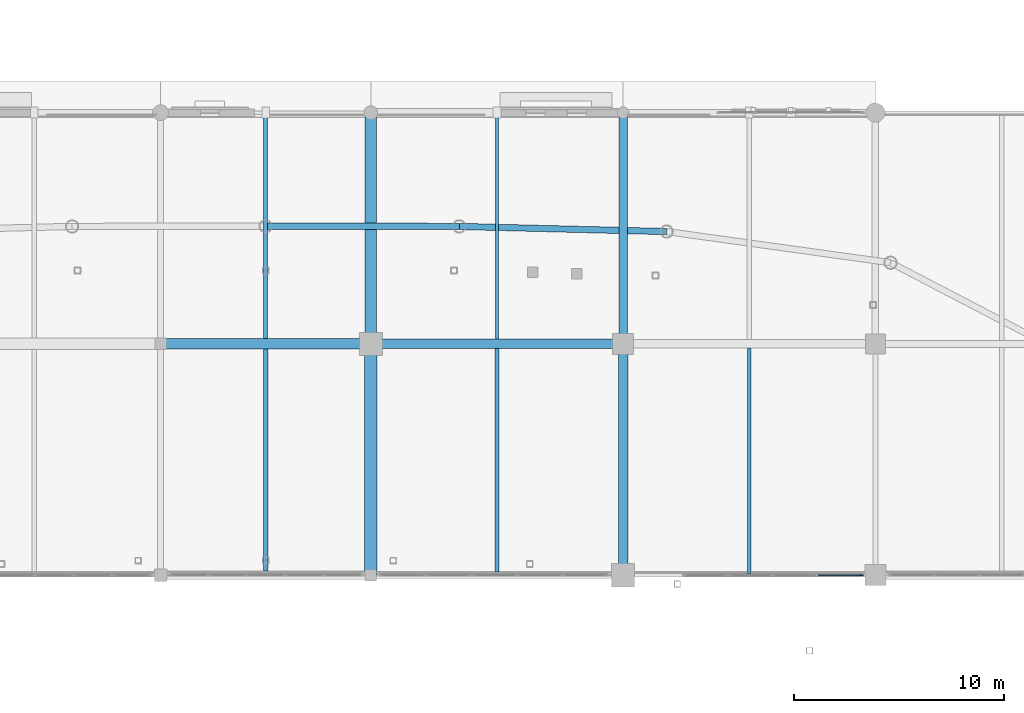
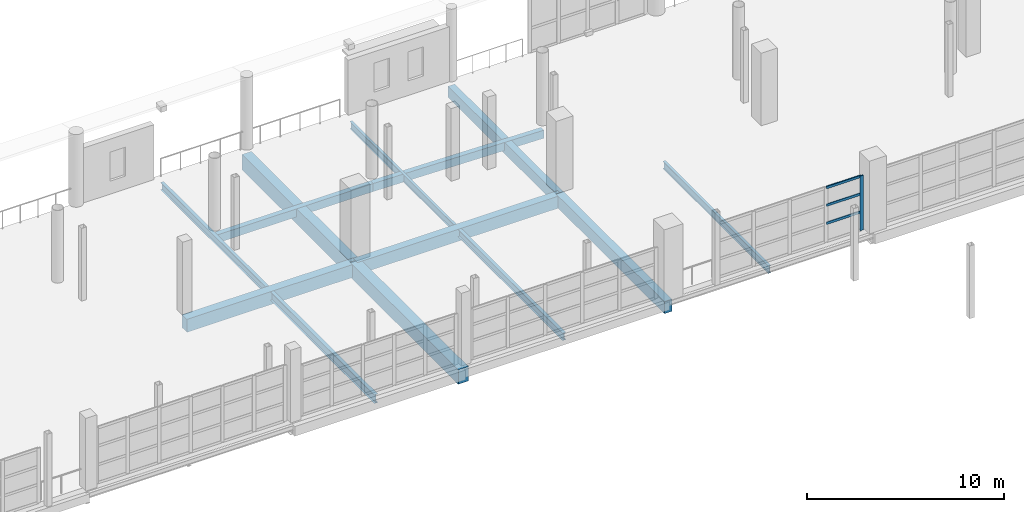
# One storey, part 46 of 118: 13 beams, 4 members, 1 element without a shape of its own.
"""IFC4 building model written with IfcOpenShell, lengths in metres."""

import ifcopenshell
import ifcopenshell.guid

model = None  # the IFC model being written
_history = None  # IfcOwnerHistory: only IFC2X3 demands one
_inside = {}  # id of a spatial element -> (the spatial element, [elements in it])
_under = {}  # id of a project, library or spatial element -> (it, [spatial elements below it])
_declared = {}  # id of a project -> (the project, [libraries it declares])
_typed = {}  # id of a type object -> (the type object, [elements of that type])
_made_of = {}  # id of a material, layer set ... -> (it, [elements and type objects made of it])


def new_model(schema):
    """Start an empty IFC model of exactly this schema.

    Asked for "IFC4X3", IfcOpenShell would pick the latest addendum, in which some entities
    have other attributes; the version numbers below select the first issue.
    IFC2X3 requires an IfcOwnerHistory on every rooted entity: one is made here for all.
    """
    global model, _history
    if schema == "IFC4X3":
        model = ifcopenshell.file(schema_version=(4, 3, 0, 0))
    else:
        model = ifcopenshell.file(schema=schema)
    _inside.clear()
    _under.clear()
    _declared.clear()
    _typed.clear()
    _made_of.clear()
    _history = None
    if model.schema == "IFC2X3":
        org = make("IfcOrganization", Name="unknown")
        user = make(
            "IfcPersonAndOrganization",
            ThePerson=make("IfcPerson", FamilyName="unknown"),
            TheOrganization=org,
        )
        app = make(
            "IfcApplication",
            ApplicationDeveloper=org,
            Version="unknown",
            ApplicationFullName="unknown",
            ApplicationIdentifier="unknown",
        )
        _history = make(
            "IfcOwnerHistory",
            OwningUser=user,
            OwningApplication=app,
            ChangeAction="ADDED",
            CreationDate=0,
        )
    return model


def make(cls, **values):
    """One entity of the class cls with the attributes given. An attribute that is None is left unset."""
    return model.create_entity(
        cls, **{name: value for name, value in values.items() if value is not None}
    )


def rooted(cls, **values):
    """An entity with a GlobalId (a new one), such as an element, a storey or a relation."""
    return make(cls, GlobalId=ifcopenshell.guid.new(), OwnerHistory=_history, **values)


def si_unit(unit_type, name, prefix=None):
    """IfcSIUnit, for example si_unit("LENGTHUNIT", "METRE", prefix="MILLI")."""
    return make("IfcSIUnit", UnitType=unit_type, Prefix=prefix, Name=name)


def assignment(units):
    """IfcUnitAssignment: the units of a project."""
    return None if units is None else make("IfcUnitAssignment", Units=units)


def point(xyz):
    """IfcCartesianPoint."""
    return None if xyz is None else make("IfcCartesianPoint", Coordinates=xyz)


def direction(xyz):
    """IfcDirection."""
    return None if xyz is None else make("IfcDirection", DirectionRatios=xyz)


def frame(location, z_axis=None, x_axis=None):
    """IfcAxis2Placement3D, a coordinate frame: its origin and axes. An axis left out is left unset."""
    return make(
        "IfcAxis2Placement3D",
        Location=point(location),
        Axis=direction(z_axis),
        RefDirection=direction(x_axis),
    )


def frame_2d(location, x_axis=None):
    """IfcAxis2Placement2D, a coordinate frame in the plane: its origin and x axis."""
    return make(
        "IfcAxis2Placement2D", Location=point(location), RefDirection=direction(x_axis)
    )


def origin():
    """The frame at (0, 0, 0) with its axes left unset."""
    return frame((0.0, 0.0, 0.0))


def origin_2d():
    """The frame at (0, 0) in the plane with its x axis left unset."""
    return frame_2d((0.0, 0.0))


def place(relative_to, where):
    """IfcLocalPlacement: puts the frame where relative to a parent placement (None: the world)."""
    return make(
        "IfcLocalPlacement", PlacementRelTo=relative_to, RelativePlacement=where
    )


def context(
    kind, dimensions, precision=None, world=None, true_north=None, identifier=None
):
    """IfcGeometricRepresentationContext, for example the 3D "Model" context."""
    return make(
        "IfcGeometricRepresentationContext",
        ContextIdentifier=identifier,
        ContextType=kind,
        CoordinateSpaceDimension=dimensions,
        Precision=precision,
        WorldCoordinateSystem=world,
        TrueNorth=true_north,
    )


def subcontext(parent, identifier, kind, view, scale=None):
    """IfcGeometricRepresentationSubContext, for example "Body" below "Model"."""
    return make(
        "IfcGeometricRepresentationSubContext",
        ContextIdentifier=identifier,
        ContextType=kind,
        ParentContext=parent,
        TargetScale=scale,
        TargetView=view,
    )


def project(units=None, contexts=None):
    """IfcProject with its units and contexts."""
    return rooted(
        "IfcProject",
        Name="project",
        RepresentationContexts=contexts,
        UnitsInContext=assignment(units),
    )


def spatial(cls, under=None, at=None, **own):
    """A site, building, storey or space (cls), placed at a placement, below another one or the project."""
    s = rooted(cls, ObjectPlacement=at, **own)
    if under is not None:
        _under.setdefault(under.id(), (under, []))[1].append(s)
    return s


def profile(cls, at=None, kind="AREA", **sizes):
    """A parametric profile (cls). Its sizes go by their IFC names, for example OverallWidth=200.0."""
    return make(cls, ProfileType=kind, Position=at, **sizes)


def rectangle(**sizes):
    """IfcRectangleProfileDef."""
    return profile("IfcRectangleProfileDef", **sizes)


def hollow_rectangle(**sizes):
    """IfcRectangleHollowProfileDef."""
    return profile("IfcRectangleHollowProfileDef", **sizes)


def i_section(**sizes):
    """IfcIShapeProfileDef."""
    return profile("IfcIShapeProfileDef", **sizes)


def extrude(swept, where, along, depth):
    """IfcExtrudedAreaSolid: the profile swept, set in the frame where, extruded along a direction by depth."""
    return make(
        "IfcExtrudedAreaSolid",
        SweptArea=swept,
        Position=where,
        ExtrudedDirection=direction(along),
        Depth=depth,
    )


def shape(context_of_items, identifier, shape_type, items):
    """IfcShapeRepresentation: the items that make up one representation, for example the "Body"."""
    return make(
        "IfcShapeRepresentation",
        ContextOfItems=context_of_items,
        RepresentationIdentifier=identifier,
        RepresentationType=shape_type,
        Items=items,
    )


def material(Name=None, Category=None):
    """IfcMaterial."""
    return make("IfcMaterial", Name=Name, Category=Category)


def material_profile(
    of_material, cross_section, Name=None, Category=None, Priority=None
):
    """IfcMaterialProfile: a cross section and its material."""
    return make(
        "IfcMaterialProfile",
        Name=Name,
        Material=of_material,
        Profile=cross_section,
        Priority=Priority,
        Category=Category,
    )


def profile_set(profiles, Name=None, composite=None):
    """IfcMaterialProfileSet."""
    return make(
        "IfcMaterialProfileSet",
        Name=Name,
        MaterialProfiles=profiles,
        CompositeProfile=composite,
    )


def made_of(thing, what):
    """Note that an element or type object is made of a material, layer set ...; save() writes the relation."""
    if what is not None:
        _made_of.setdefault(what.id(), (what, []))[1].append(thing)
    return thing


def type_object(cls, material=None, **own):
    """A type object (cls), such as IfcWallType, which elements share."""
    return made_of(rooted(cls, **own), material)


def element(
    cls,
    number,
    at=None,
    inside=None,
    cuts=None,
    type_object=None,
    material=None,
    context=None,
    identifier="Body",
    shape_type=None,
    held_by="IfcProductDefinitionShape",
    body=None,
    shapes=None,
    **own,
):
    """One element of the class cls, such as IfcWall. Its Tag is "e" and its number.

    at: its placement. inside: the storey or other place that contains it. cuts: it is an
    opening in that element (IfcRelVoidsElement). A single representation is given by context,
    identifier, shape_type and body (its items); several are given by shapes. held_by: the class
    of the entity that holds the representations. save() writes the other relations.
    """
    e = rooted(cls, Tag="e%d" % number, ObjectPlacement=at, **own)
    if body is not None:
        shapes = [shape(context, identifier, shape_type, body)]
    if shapes is not None:
        e.Representation = make(held_by, Representations=shapes)
    if inside is not None:
        _inside.setdefault(inside.id(), (inside, []))[1].append(e)
    if cuts is not None:
        rooted(
            "IfcRelVoidsElement", RelatingBuildingElement=cuts, RelatedOpeningElement=e
        )
    if type_object is not None:
        _typed.setdefault(type_object.id(), (type_object, []))[1].append(e)
    return made_of(e, material)


def aggregate(whole, parts):
    """IfcRelAggregates: a whole, such as a stair, and the parts it consists of."""
    return rooted("IfcRelAggregates", RelatingObject=whole, RelatedObjects=parts)


def save(model, path):
    """Write the relations noted so far, then the file.

    IfcRelAggregates (storeys below a building ...), IfcRelContainedInSpatialStructure (elements
    in a storey), IfcRelDefinesByType, IfcRelAssociatesMaterial and IfcRelDeclares: one each for
    every whole, place, type object, material and project.
    """
    for whole, parts in _under.values():
        aggregate(whole, parts)
    for where, things in _inside.values():
        rooted(
            "IfcRelContainedInSpatialStructure",
            RelatedElements=things,
            RelatingStructure=where,
        )
    for kind, things in _typed.values():
        rooted("IfcRelDefinesByType", RelatedObjects=things, RelatingType=kind)
    for what, things in _made_of.values():
        rooted("IfcRelAssociatesMaterial", RelatedObjects=things, RelatingMaterial=what)
    for by, libraries in _declared.values():
        rooted("IfcRelDeclares", RelatingContext=by, RelatedDefinitions=libraries)
    model.write(path)


model = new_model("IFC4")

# Units and contexts
model_context = context("Model", 3, precision=1e-05, world=origin(), true_north=direction((0.0, 1.0)))
body_context = subcontext(model_context, "Body", "Model", "MODEL_VIEW")
ifc_project = project(units=[si_unit("LENGTHUNIT", "METRE"), si_unit("AREAUNIT", "SQUARE_METRE"), si_unit("VOLUMEUNIT", "CUBIC_METRE"), si_unit("PLANEANGLEUNIT", "RADIAN"), si_unit("MASSUNIT", "GRAM", prefix="KILO")], contexts=[model_context])

# Site, building, storey
site_placement = place(None, origin())
site = spatial("IfcSite", under=ifc_project, at=site_placement, CompositionType="ELEMENT")
building_placement = place(site_placement, origin())
building = spatial("IfcBuilding", under=site, at=building_placement, Name="Luwafu Chhajja Arena", CompositionType="ELEMENT")
storey_placement = place(building_placement, frame((0.0, 0.0, 10.199951171875)))
storey = spatial("IfcBuildingStorey", under=building, at=storey_placement, Name="L02", CompositionType="ELEMENT", Elevation=10.199951171875)

# Curtain wall, members
ifc_material_1 = material(Name="Anodised bronze aluminium", Category="aluminium")
curtain_wall_type = type_object("IfcCurtainWallType", Name="Hospitality Ring Curtain Wall", PredefinedType="USERDEFINED", material=ifc_material_1)
curtain_wall_placement = place(storey_placement, origin())
curtain_wall = element("IfcCurtainWall", 1, at=curtain_wall_placement, inside=storey, type_object=curtain_wall_type, Name="L02 Bowl Viewing Curtain Wall CWR-L02-13", ObjectType="CURTAIN WALL", PredefinedType="USERDEFINED")
ifc_material_profile_1 = material_profile(ifc_material_1, rectangle(XDim=0.06494140625, YDim=0.199951171875, at=origin_2d()), Name="CWM 65x200")
ifc_profile_set_1 = profile_set([ifc_material_profile_1], Name="Anodised bronze aluminium")
member_type_1 = type_object("IfcMemberType", Name="Bronze Curtain Wall Mullion 65x200", PredefinedType="MULLION", material=ifc_profile_set_1)
member_1_placement = place(storey_placement, frame((127.327392578125, 77.0, 0.0), z_axis=(0.0, 0.0, 1.0), x_axis=(0.0, 1.0, 0.0)))
member_1 = element("IfcMember", 2, at=member_1_placement, type_object=member_type_1, Name="CW-02 mullion 5", PredefinedType="MULLION", context=body_context, shape_type="SweptSolid", body=[
    extrude(rectangle(XDim=0.06494140625, YDim=0.199951171875, at=origin_2d()), origin(), (0.0, 0.0, 1.0), 3.39013671875),
])
ifc_material_profile_2 = material_profile(ifc_material_1, rectangle(XDim=0.06494140625, YDim=0.14990234375, at=origin_2d()), Name="CWT 65x150")
ifc_profile_set_2 = profile_set([ifc_material_profile_2], Name="Anodised bronze aluminium")
member_type_2 = type_object("IfcMemberType", Name="Bronze Curtain Wall Transom 65x150", PredefinedType="USERDEFINED", material=ifc_profile_set_2)
member_2_placement = place(storey_placement, frame((125.26904296875, 77.0, 1.150146484375), z_axis=(1.0, 0.0, 0.0), x_axis=(0.0, 1.0, 0.0)))
member_2 = element("IfcMember", 3, at=member_2_placement, type_object=member_type_2, Name="CW-02 transom 4.2", ObjectType="TRANSOM", PredefinedType="USERDEFINED", context=body_context, shape_type="SweptSolid", body=[
    extrude(rectangle(XDim=0.06494140625, YDim=0.14990234375, at=origin_2d()), origin(), (0.0, 0.0, 1.0), 2.02587890625),
])
member_3_placement = place(storey_placement, frame((125.26904296875, 77.0, 2.27001953125), z_axis=(1.0, 0.0, 0.0), x_axis=(0.0, 1.0, 0.0)))
member_3 = element("IfcMember", 4, at=member_3_placement, type_object=member_type_2, Name="CW-02 transom 4.3", ObjectType="TRANSOM", PredefinedType="USERDEFINED", context=body_context, shape_type="SweptSolid", body=[
    extrude(rectangle(XDim=0.06494140625, YDim=0.14990234375, at=origin_2d()), origin(), (0.0, 0.0, 1.0), 2.02587890625),
])
member_4_placement = place(storey_placement, frame((125.26904296875, 77.0, 3.357666015625), z_axis=(1.0, 0.0, 0.0), x_axis=(0.0, 1.0, 0.0)))
member_4 = element("IfcMember", 5, at=member_4_placement, type_object=member_type_2, Name="CW-02 transom 4.4", ObjectType="TRANSOM", PredefinedType="USERDEFINED", context=body_context, shape_type="SweptSolid", body=[
    extrude(rectangle(XDim=0.06494140625, YDim=0.14990234375, at=origin_2d()), origin(), (0.0, 0.0, 1.0), 2.02587890625),
])
aggregate(curtain_wall, [member_1, member_2, member_3, member_4])

# Beams
ifc_material_2 = material(Name="Concrete C35/45", Category="concrete")
ifc_material_profile_3 = material_profile(ifc_material_2, rectangle(XDim=0.60009765625, YDim=0.89990234375, at=origin_2d()), Name="RC 600x900")
ifc_profile_set_3 = profile_set([ifc_material_profile_3], Name="Concrete C35/45")
beam_type_1 = type_object("IfcBeamType", Name="Concourse Primary Girder RC 600x900", PredefinedType="BEAM", material=ifc_profile_set_3)
beam_1_placement = place(storey_placement, frame((104.0, 77.0, -0.83984375), z_axis=(0.0, 1.0, 0.0), x_axis=(-1.0, 0.0, 0.0)))
element("IfcBeam", 6, at=beam_1_placement, inside=storey, type_object=beam_type_1, Name="L02 Grid Beam 10/H-J", PredefinedType="BEAM", context=body_context, shape_type="SweptSolid", body=[
    extrude(rectangle(XDim=0.60009765625, YDim=0.89990234375, at=origin_2d()), origin(), (0.0, 0.0, 1.0), 11.0),
])
ifc_material_profile_4 = material_profile(ifc_material_2, rectangle(XDim=0.550048828125, YDim=0.949951171875, at=origin_2d()), Name="RC 550x950")
ifc_profile_set_4 = profile_set([ifc_material_profile_4], Name="Concrete C35/45")
beam_type_2 = type_object("IfcBeamType", Name="Concourse Radial Girder RC 550x950", PredefinedType="BEAM", material=ifc_profile_set_4)
beam_2_placement = place(storey_placement, frame((104.0, 88.0, -0.864990234375), z_axis=(0.0, 1.0, 0.0), x_axis=(-1.0, 0.0, 0.0)))
element("IfcBeam", 7, at=beam_2_placement, inside=storey, type_object=beam_type_2, Name="L02 Grid Beam 10/J-K", PredefinedType="BEAM", context=body_context, shape_type="SweptSolid", body=[
    extrude(rectangle(XDim=0.550048828125, YDim=0.949951171875, at=origin_2d()), origin(), (0.0, 0.0, 1.0), 11.0),
])
ifc_material_3 = material(Name="Steel S355", Category="steel")
ifc_material_profile_5 = material_profile(ifc_material_3, i_section(OverallWidth=0.15283203125, OverallDepth=0.45458984375, WebThickness=0.008056640625, FlangeThickness=0.01318359375, at=origin_2d()), Name="UB 457x152x60")
ifc_profile_set_5 = profile_set([ifc_material_profile_5], Name="Steel S355")
beam_type_3 = type_object("IfcBeamType", Name="Floor Joist UB 457x152x60", PredefinedType="JOIST", material=ifc_profile_set_5)
beam_3_placement = place(storey_placement, frame((110.0, 88.22509765625, -0.6171875), z_axis=(0.0, 1.0, 0.0), x_axis=(-1.0, 0.0, 0.0)))
element("IfcBeam", 8, at=beam_3_placement, inside=storey, type_object=beam_type_3, Name="L02 Secondary Joist 10-11/J", PredefinedType="JOIST", context=body_context, shape_type="SweptSolid", body=[
    extrude(i_section(OverallWidth=0.15283203125, OverallDepth=0.45458984375, WebThickness=0.008056640625, FlangeThickness=0.01318359375, at=origin_2d()), origin(), (0.0, 0.0, 1.0), 10.574951171875),
])
beam_4_placement = place(storey_placement, frame((122.0, 77.082763671875, -0.6171875), z_axis=(0.0, 1.0, 0.0), x_axis=(-1.0, 0.0, 0.0)))
element("IfcBeam", 9, at=beam_4_placement, inside=storey, type_object=beam_type_3, Name="L02 Secondary Joist 11-12/H", PredefinedType="JOIST", context=body_context, shape_type="SweptSolid", body=[
    extrude(i_section(OverallWidth=0.15283203125, OverallDepth=0.45458984375, WebThickness=0.008056640625, FlangeThickness=0.01318359375, at=origin_2d()), origin(), (0.0, 0.0, 1.0), 10.71728515625),
])
ifc_material_profile_6 = material_profile(ifc_material_3, i_section(OverallWidth=0.19140625, OverallDepth=0.4599609375, WebThickness=0.010009765625, FlangeThickness=0.01611328125, at=origin_2d()), Name="UB 457x191x82")
ifc_profile_set_6 = profile_set([ifc_material_profile_6], Name="Steel S355")
beam_type_4 = type_object("IfcBeamType", Name="Floor Joist UB 457x191x82", PredefinedType="JOIST", material=ifc_profile_set_6)
beam_5_placement = place(storey_placement, frame((99.0, 88.25, -0.619873046875), z_axis=(0.0, 1.0, 0.0), x_axis=(-1.0, 0.0, 0.0)))
element("IfcBeam", 10, at=beam_5_placement, inside=storey, type_object=beam_type_4, Name="L02 Secondary Joist 9-10/J", PredefinedType="JOIST", context=body_context, shape_type="SweptSolid", body=[
    extrude(i_section(OverallWidth=0.19140625, OverallDepth=0.4599609375, WebThickness=0.010009765625, FlangeThickness=0.01611328125, at=origin_2d()), origin(), (0.0, 0.0, 1.0), 10.667236328125),
])
beam_6_placement = place(storey_placement, frame((110.0, 77.14990234375, -0.619873046875), z_axis=(0.0, 1.0, 0.0), x_axis=(-1.0, 0.0, 0.0)))
element("IfcBeam", 11, at=beam_6_placement, inside=storey, type_object=beam_type_4, Name="L02 Secondary Joist 10-11/H", PredefinedType="JOIST", context=body_context, shape_type="SweptSolid", body=[
    extrude(i_section(OverallWidth=0.19140625, OverallDepth=0.4599609375, WebThickness=0.010009765625, FlangeThickness=0.01611328125, at=origin_2d()), origin(), (0.0, 0.0, 1.0), 10.625),
])
ifc_material_profile_7 = material_profile(ifc_material_3, i_section(OverallWidth=0.209228515625, OverallDepth=0.533203125, WebThickness=0.010009765625, FlangeThickness=0.015625, at=origin_2d()), Name="UB 533x210x92")
ifc_profile_set_7 = profile_set([ifc_material_profile_7], Name="Steel S355")
beam_type_5 = type_object("IfcBeamType", Name="Floor Joist UB 533x210x92", PredefinedType="JOIST", material=ifc_profile_set_7)
beam_7_placement = place(storey_placement, frame((99.0, 77.199951171875, -0.656494140625), z_axis=(0.0, 1.0, 0.0), x_axis=(-1.0, 0.0, 0.0)))
element("IfcBeam", 12, at=beam_7_placement, inside=storey, type_object=beam_type_5, Name="L02 Secondary Joist 9-10/H", PredefinedType="JOIST", context=body_context, shape_type="SweptSolid", body=[
    extrude(i_section(OverallWidth=0.209228515625, OverallDepth=0.533203125, WebThickness=0.010009765625, FlangeThickness=0.015625, at=origin_2d()), origin(), (0.0, 0.0, 1.0), 10.550048828125),
])
ifc_material_profile_8 = material_profile(ifc_material_2, rectangle(XDim=0.5, YDim=0.800048828125, at=origin_2d()), Name="RC 500x800")
ifc_profile_set_8 = profile_set([ifc_material_profile_8], Name="Concrete C35/45")
beam_type_6 = type_object("IfcBeamType", Name="Hospitality Primary Beam RC 500x800", PredefinedType="BEAM", material=ifc_profile_set_8)
beam_8_placement = place(storey_placement, frame((94.0, 88.0, -0.7900390625), z_axis=(1.0, 0.0, 0.0), x_axis=(0.0, 1.0, 0.0)))
element("IfcBeam", 13, at=beam_8_placement, inside=storey, type_object=beam_type_6, Name="L02 Grid Beam 9-10/J", PredefinedType="BEAM", context=body_context, shape_type="SweptSolid", body=[
    extrude(rectangle(XDim=0.5, YDim=0.800048828125, at=origin_2d()), origin(), (0.0, 0.0, 1.0), 10.0),
])
ifc_material_profile_9 = material_profile(ifc_material_3, hollow_rectangle(XDim=0.300048828125, YDim=0.5, WallThickness=0.02001953125, at=origin_2d()), Name="RHS 500x300x20")
ifc_profile_set_9 = profile_set([ifc_material_profile_9], Name="Steel S355")
beam_type_7 = type_object("IfcBeamType", Name="Pleated Drum Spandrel Beam RHS 500x300", PredefinedType="SPANDREL", material=ifc_profile_set_9)
beam_9_placement = place(storey_placement, frame((118.067138671875, 93.3447265625, -0.639892578125), z_axis=(-0.999695420837, 0.024679253567, 0.0), x_axis=(-0.024679253567, -0.999695420837, 0.0)))
element("IfcBeam", 14, at=beam_9_placement, inside=storey, type_object=beam_type_7, Name="L02 Drum Ring Spandrel D07-D08", PredefinedType="SPANDREL", context=body_context, shape_type="SweptSolid", body=[
    extrude(hollow_rectangle(XDim=0.300048828125, YDim=0.5, WallThickness=0.02001953125, at=origin_2d()), origin(), (0.0, 0.0, 1.0), 9.86279296875),
])
beam_10_placement = place(storey_placement, frame((108.207275390625, 93.588134765625, -0.639892578125), z_axis=(-0.999999155928, 0.001299285621, 0.0), x_axis=(-0.001299285621, -0.999999155928, 0.0)))
element("IfcBeam", 15, at=beam_10_placement, inside=storey, type_object=beam_type_7, Name="L02 Drum Ring Spandrel D08-D09", PredefinedType="SPANDREL", context=body_context, shape_type="SweptSolid", body=[
    extrude(hollow_rectangle(XDim=0.300048828125, YDim=0.5, WallThickness=0.02001953125, at=origin_2d()), origin(), (0.0, 0.0, 1.0), 9.207275390625),
])
ifc_material_profile_10 = material_profile(ifc_material_2, rectangle(XDim=0.39990234375, YDim=0.699951171875, at=origin_2d()), Name="RC 400x700")
ifc_profile_set_10 = profile_set([ifc_material_profile_10], Name="Concrete C35/45")
beam_type_8 = type_object("IfcBeamType", Name="Wing Frame Beam RC 400x700", PredefinedType="BEAM", material=ifc_profile_set_10)
beam_11_placement = place(storey_placement, frame((116.0, 88.0, -0.739990234375), z_axis=(0.0, 1.0, 0.0), x_axis=(-1.0, 0.0, 0.0)))
element("IfcBeam", 16, at=beam_11_placement, inside=storey, type_object=beam_type_8, Name="L02 Grid Beam 11/J-K", PredefinedType="BEAM", context=body_context, shape_type="SweptSolid", body=[
    extrude(rectangle(XDim=0.39990234375, YDim=0.699951171875, at=origin_2d()), origin(), (0.0, 0.0, 1.0), 11.0),
])
ifc_material_profile_11 = material_profile(ifc_material_2, rectangle(XDim=0.449951171875, YDim=0.75, at=origin_2d()), Name="RC 450x750")
ifc_profile_set_11 = profile_set([ifc_material_profile_11], Name="Concrete C35/45")
beam_type_9 = type_object("IfcBeamType", Name="Wing Primary Beam RC 450x750", PredefinedType="BEAM", material=ifc_profile_set_11)
beam_12_placement = place(storey_placement, frame((104.0, 88.0, -0.764892578125), z_axis=(1.0, 0.0, 0.0), x_axis=(0.0, 1.0, 0.0)))
element("IfcBeam", 17, at=beam_12_placement, inside=storey, type_object=beam_type_9, Name="L02 Grid Beam 10-11/J", PredefinedType="BEAM", context=body_context, shape_type="SweptSolid", body=[
    extrude(rectangle(XDim=0.449951171875, YDim=0.75, at=origin_2d()), origin(), (0.0, 0.0, 1.0), 12.0),
])
beam_13_placement = place(storey_placement, frame((116.0, 77.0, -0.764892578125), z_axis=(0.0, 1.0, 0.0), x_axis=(-1.0, 0.0, 0.0)))
element("IfcBeam", 18, at=beam_13_placement, inside=storey, type_object=beam_type_9, Name="L02 Grid Beam 11/H-J", PredefinedType="BEAM", context=body_context, shape_type="SweptSolid", body=[
    extrude(rectangle(XDim=0.449951171875, YDim=0.75, at=origin_2d()), origin(), (0.0, 0.0, 1.0), 11.0),
])

save(model, "model.ifc")
